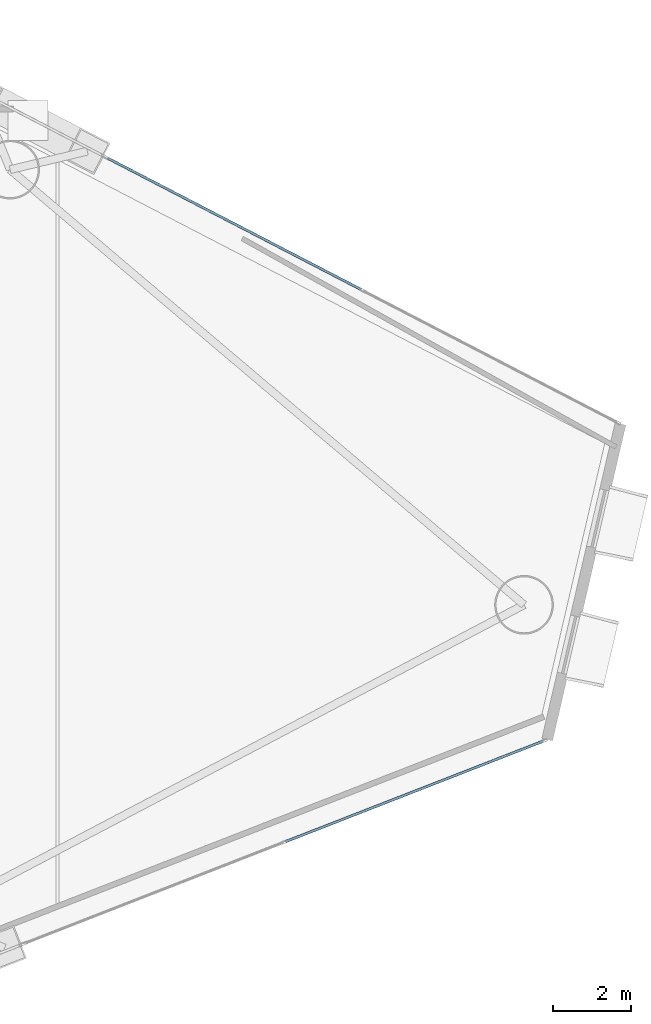
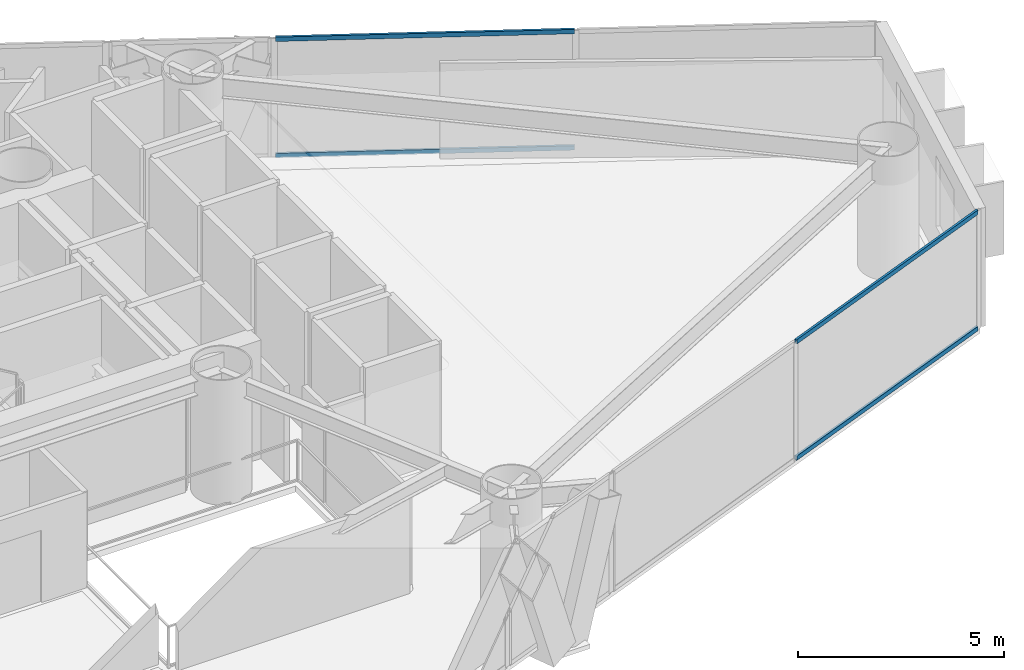
# One storey, part 12 of 21: 4 members, 2 elements without a shape of their own.
"""IFC4 building model written with IfcOpenShell, lengths in metres."""

from ifc_helpers import new_model, si_unit, direction, frame, origin, origin_2d, place, context, subcontext, project, spatial, hollow_rectangle, extrude, material, layer, layer_set, material_profile, profile_set, type_object, element, aggregate, save


model = new_model("IFC4")

# Units and contexts
model_context = context("Model", 3, precision=1e-05, world=origin(), true_north=direction((0.0, 1.0)))
body_context = subcontext(model_context, "Body", "Model", "MODEL_VIEW")
ifc_project = project(units=[si_unit("LENGTHUNIT", "METRE"), si_unit("AREAUNIT", "SQUARE_METRE"), si_unit("VOLUMEUNIT", "CUBIC_METRE"), si_unit("PLANEANGLEUNIT", "RADIAN"), si_unit("MASSUNIT", "GRAM", prefix="KILO")], contexts=[model_context])

# Site, building, storey
site_placement = place(None, origin())
site = spatial("IfcSite", under=ifc_project, at=site_placement, CompositionType="ELEMENT")
building_placement = place(site_placement, origin())
building = spatial("IfcBuilding", under=site, at=building_placement, Name="Qianvela Tower", CompositionType="ELEMENT")
storey_placement = place(building_placement, frame((0.0, 0.0, 131.10009765625)))
storey = spatial("IfcBuildingStorey", under=building, at=storey_placement, Name="L33", CompositionType="ELEMENT", Elevation=131.10009765625)

# Curtain wall, members
ifc_material_1 = material(Name="Anodised Architectural Aluminium and Low-E Glass", Category="aluminium")
ifc_layer = layer(ifc_material_1, 0.169921875)
ifc_layer_set = layer_set([ifc_layer], Name="Anodised Architectural Aluminium and Low-E Glass")
curtain_wall_type = type_object("IfcCurtainWallType", Name="CW-COLIV-Z34", PredefinedType="USERDEFINED", material=ifc_layer_set)
curtain_wall_1_placement = place(storey_placement, origin())
curtain_wall_1 = element("IfcCurtainWall", 1, at=curtain_wall_1_placement, inside=storey, type_object=curtain_wall_type, Name="L33 CW-COLIV-Z34 Curtain Wall 02A", ObjectType="CURTAIN_WALL_SYSTEM", PredefinedType="USERDEFINED")
ifc_material_2 = material(Name="Anodised Architectural Aluminium 6063-T6", Category="aluminium")
ifc_material_profile = material_profile(ifc_material_2, hollow_rectangle(XDim=0.06494140625, YDim=0.1298828125, WallThickness=0.00439453125, at=origin_2d()), Name="ALU-TRAN-65x130")
ifc_profile_set = profile_set([ifc_material_profile], Name="Anodised Architectural Aluminium 6063-T6")
member_type = type_object("IfcMemberType", Name="CW-COLIV-Z34-TRAN", PredefinedType="USERDEFINED", material=ifc_profile_set)
member_1_placement = place(storey_placement, frame((53.03173828125, 32.010009765625, 0.032470703125), z_axis=(-0.887870191075, 0.460094037997, 0.0), x_axis=(-0.460094037997, -0.887870191075, 0.0)))
member_1 = element("IfcMember", 2, at=member_1_placement, type_object=member_type, Name="CW-4 transom 2.1", ObjectType="TRANSOM", PredefinedType="USERDEFINED", context=body_context, shape_type="SweptSolid", body=[
    extrude(hollow_rectangle(XDim=0.06494140625, YDim=0.1298828125, WallThickness=0.00439453125, at=origin_2d()), origin(), (0.0, 0.0, 1.0), 7.282470703125),
])
member_2_placement = place(storey_placement, frame((53.03173828125, 32.010009765625, 3.4873046875), z_axis=(-0.887870191075, 0.460094037997, 0.0), x_axis=(-0.460094037997, -0.887870191075, 0.0)))
member_2 = element("IfcMember", 3, at=member_2_placement, type_object=member_type, Name="CW-4 transom 2.2", ObjectType="TRANSOM", PredefinedType="USERDEFINED", context=body_context, shape_type="SweptSolid", body=[
    extrude(hollow_rectangle(XDim=0.06494140625, YDim=0.1298828125, WallThickness=0.00439453125, at=origin_2d()), origin(), (0.0, 0.0, 1.0), 7.282470703125),
])
aggregate(curtain_wall_1, [member_1, member_2])

curtain_wall_2_placement = place(storey_placement, origin())
curtain_wall_2 = element("IfcCurtainWall", 4, at=curtain_wall_2_placement, inside=storey, type_object=curtain_wall_type, Name="L33 CW-COLIV-Z34 Curtain Wall 06C", ObjectType="CURTAIN_WALL_SYSTEM", PredefinedType="USERDEFINED")
member_3_placement = place(storey_placement, frame((51.104248046875, 17.9091796875, 0.032470703125), z_axis=(0.931608184706, 0.36346415255, 0.0), x_axis=(-0.36346415255, 0.931608184706, 0.0)))
member_3 = element("IfcMember", 5, at=member_3_placement, type_object=member_type, Name="CW-4 transom 2.1", ObjectType="TRANSOM", PredefinedType="USERDEFINED", context=body_context, shape_type="SweptSolid", body=[
    extrude(hollow_rectangle(XDim=0.06494140625, YDim=0.1298828125, WallThickness=0.00439453125, at=origin_2d()), origin(), (0.0, 0.0, 1.0), 7.058837890625),
])
member_4_placement = place(storey_placement, frame((51.104248046875, 17.9091796875, 3.4873046875), z_axis=(0.931608184706, 0.36346415255, 0.0), x_axis=(-0.36346415255, 0.931608184706, 0.0)))
member_4 = element("IfcMember", 6, at=member_4_placement, type_object=member_type, Name="CW-4 transom 2.2", ObjectType="TRANSOM", PredefinedType="USERDEFINED", context=body_context, shape_type="SweptSolid", body=[
    extrude(hollow_rectangle(XDim=0.06494140625, YDim=0.1298828125, WallThickness=0.00439453125, at=origin_2d()), origin(), (0.0, 0.0, 1.0), 7.058837890625),
])
aggregate(curtain_wall_2, [member_3, member_4])

save(model, "model.ifc")
